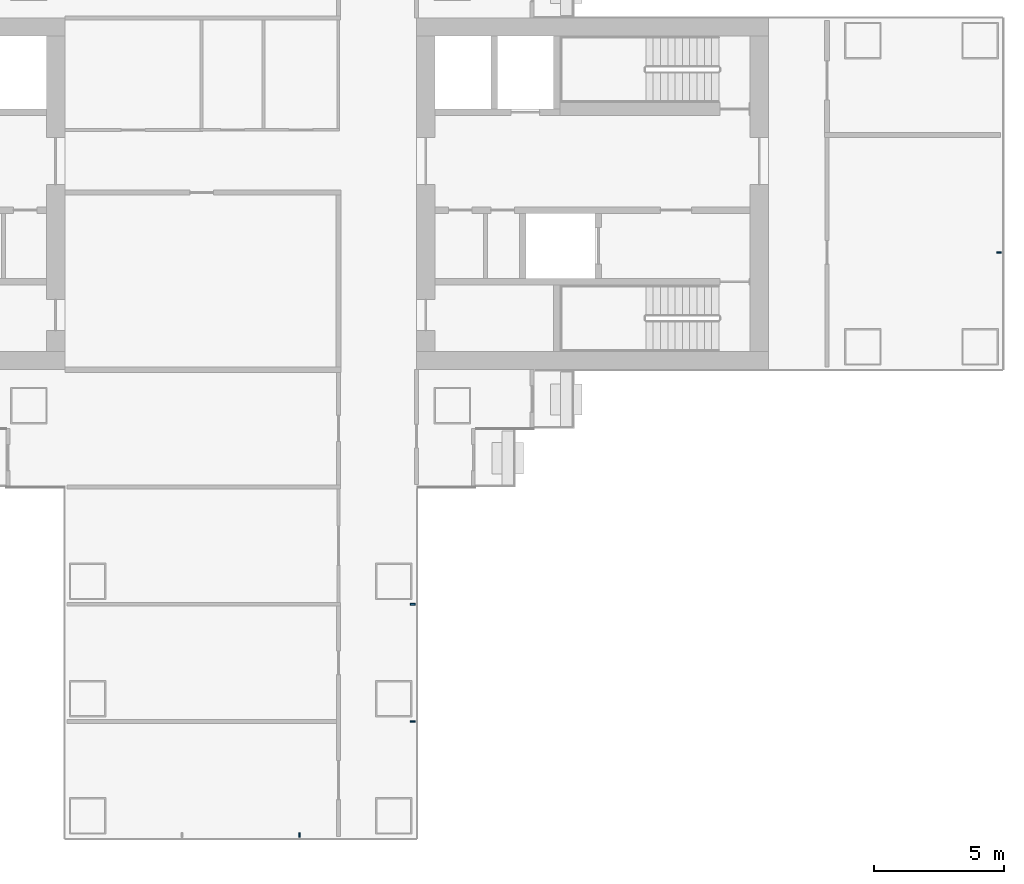
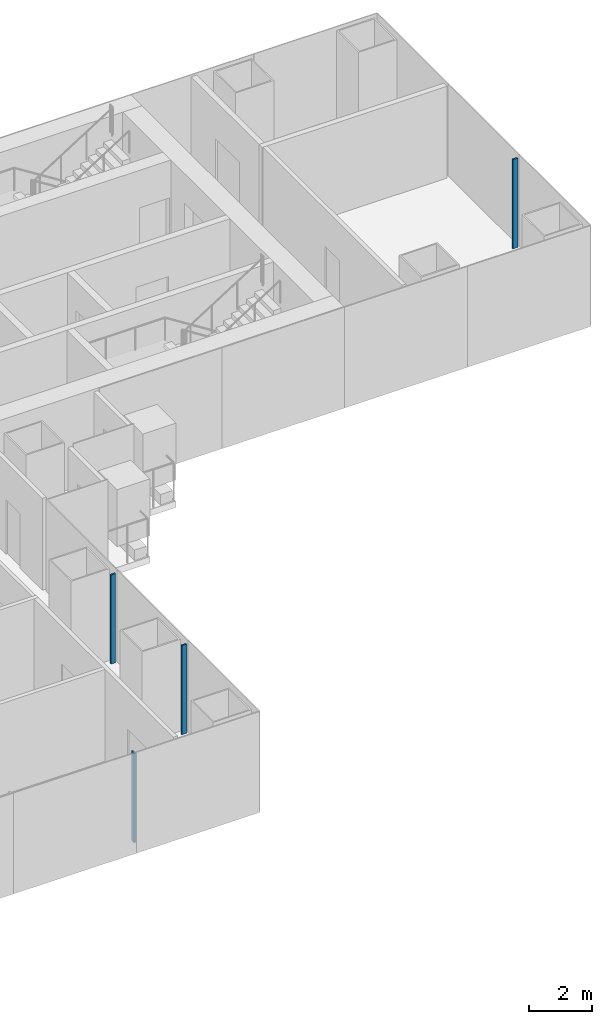
# One storey, part 8 of 21: 4 members, 3 elements without a shape of their own.
"""IFC4 building model written with IfcOpenShell, lengths in metres."""

import ifcopenshell
import ifcopenshell.guid

model = None  # the IFC model being written
_history = None  # IfcOwnerHistory: only IFC2X3 demands one
_inside = {}  # id of a spatial element -> (the spatial element, [elements in it])
_under = {}  # id of a project, library or spatial element -> (it, [spatial elements below it])
_declared = {}  # id of a project -> (the project, [libraries it declares])
_typed = {}  # id of a type object -> (the type object, [elements of that type])
_made_of = {}  # id of a material, layer set ... -> (it, [elements and type objects made of it])


def new_model(schema):
    """Start an empty IFC model of exactly this schema.

    Asked for "IFC4X3", IfcOpenShell would pick the latest addendum, in which some entities
    have other attributes; the version numbers below select the first issue.
    IFC2X3 requires an IfcOwnerHistory on every rooted entity: one is made here for all.
    """
    global model, _history
    if schema == "IFC4X3":
        model = ifcopenshell.file(schema_version=(4, 3, 0, 0))
    else:
        model = ifcopenshell.file(schema=schema)
    _inside.clear()
    _under.clear()
    _declared.clear()
    _typed.clear()
    _made_of.clear()
    _history = None
    if model.schema == "IFC2X3":
        org = make("IfcOrganization", Name="unknown")
        user = make(
            "IfcPersonAndOrganization",
            ThePerson=make("IfcPerson", FamilyName="unknown"),
            TheOrganization=org,
        )
        app = make(
            "IfcApplication",
            ApplicationDeveloper=org,
            Version="unknown",
            ApplicationFullName="unknown",
            ApplicationIdentifier="unknown",
        )
        _history = make(
            "IfcOwnerHistory",
            OwningUser=user,
            OwningApplication=app,
            ChangeAction="ADDED",
            CreationDate=0,
        )
    return model


def make(cls, **values):
    """One entity of the class cls with the attributes given. An attribute that is None is left unset."""
    return model.create_entity(
        cls, **{name: value for name, value in values.items() if value is not None}
    )


def rooted(cls, **values):
    """An entity with a GlobalId (a new one), such as an element, a storey or a relation."""
    return make(cls, GlobalId=ifcopenshell.guid.new(), OwnerHistory=_history, **values)


def si_unit(unit_type, name, prefix=None):
    """IfcSIUnit, for example si_unit("LENGTHUNIT", "METRE", prefix="MILLI")."""
    return make("IfcSIUnit", UnitType=unit_type, Prefix=prefix, Name=name)


def assignment(units):
    """IfcUnitAssignment: the units of a project."""
    return None if units is None else make("IfcUnitAssignment", Units=units)


def point(xyz):
    """IfcCartesianPoint."""
    return None if xyz is None else make("IfcCartesianPoint", Coordinates=xyz)


def direction(xyz):
    """IfcDirection."""
    return None if xyz is None else make("IfcDirection", DirectionRatios=xyz)


def frame(location, z_axis=None, x_axis=None):
    """IfcAxis2Placement3D, a coordinate frame: its origin and axes. An axis left out is left unset."""
    return make(
        "IfcAxis2Placement3D",
        Location=point(location),
        Axis=direction(z_axis),
        RefDirection=direction(x_axis),
    )


def frame_2d(location, x_axis=None):
    """IfcAxis2Placement2D, a coordinate frame in the plane: its origin and x axis."""
    return make(
        "IfcAxis2Placement2D", Location=point(location), RefDirection=direction(x_axis)
    )


def origin():
    """The frame at (0, 0, 0) with its axes left unset."""
    return frame((0.0, 0.0, 0.0))


def origin_2d():
    """The frame at (0, 0) in the plane with its x axis left unset."""
    return frame_2d((0.0, 0.0))


def place(relative_to, where):
    """IfcLocalPlacement: puts the frame where relative to a parent placement (None: the world)."""
    return make(
        "IfcLocalPlacement", PlacementRelTo=relative_to, RelativePlacement=where
    )


def context(
    kind, dimensions, precision=None, world=None, true_north=None, identifier=None
):
    """IfcGeometricRepresentationContext, for example the 3D "Model" context."""
    return make(
        "IfcGeometricRepresentationContext",
        ContextIdentifier=identifier,
        ContextType=kind,
        CoordinateSpaceDimension=dimensions,
        Precision=precision,
        WorldCoordinateSystem=world,
        TrueNorth=true_north,
    )


def subcontext(parent, identifier, kind, view, scale=None):
    """IfcGeometricRepresentationSubContext, for example "Body" below "Model"."""
    return make(
        "IfcGeometricRepresentationSubContext",
        ContextIdentifier=identifier,
        ContextType=kind,
        ParentContext=parent,
        TargetScale=scale,
        TargetView=view,
    )


def project(units=None, contexts=None):
    """IfcProject with its units and contexts."""
    return rooted(
        "IfcProject",
        Name="project",
        RepresentationContexts=contexts,
        UnitsInContext=assignment(units),
    )


def spatial(cls, under=None, at=None, **own):
    """A site, building, storey or space (cls), placed at a placement, below another one or the project."""
    s = rooted(cls, ObjectPlacement=at, **own)
    if under is not None:
        _under.setdefault(under.id(), (under, []))[1].append(s)
    return s


def profile(cls, at=None, kind="AREA", **sizes):
    """A parametric profile (cls). Its sizes go by their IFC names, for example OverallWidth=200.0."""
    return make(cls, ProfileType=kind, Position=at, **sizes)


def rectangle(**sizes):
    """IfcRectangleProfileDef."""
    return profile("IfcRectangleProfileDef", **sizes)


def extrude(swept, where, along, depth):
    """IfcExtrudedAreaSolid: the profile swept, set in the frame where, extruded along a direction by depth."""
    return make(
        "IfcExtrudedAreaSolid",
        SweptArea=swept,
        Position=where,
        ExtrudedDirection=direction(along),
        Depth=depth,
    )


def shape(context_of_items, identifier, shape_type, items):
    """IfcShapeRepresentation: the items that make up one representation, for example the "Body"."""
    return make(
        "IfcShapeRepresentation",
        ContextOfItems=context_of_items,
        RepresentationIdentifier=identifier,
        RepresentationType=shape_type,
        Items=items,
    )


def material(Name=None, Category=None):
    """IfcMaterial."""
    return make("IfcMaterial", Name=Name, Category=Category)


def layer(
    of_material, thickness, ventilated=None, Name=None, Category=None, Priority=None
):
    """IfcMaterialLayer: one layer of a wall or slab, of a material (None: an air gap)."""
    return make(
        "IfcMaterialLayer",
        Material=of_material,
        LayerThickness=thickness,
        IsVentilated=ventilated,
        Name=Name,
        Category=Category,
        Priority=Priority,
    )


def layer_set(layers, Name=None):
    """IfcMaterialLayerSet."""
    return make("IfcMaterialLayerSet", MaterialLayers=layers, LayerSetName=Name)


def material_profile(
    of_material, cross_section, Name=None, Category=None, Priority=None
):
    """IfcMaterialProfile: a cross section and its material."""
    return make(
        "IfcMaterialProfile",
        Name=Name,
        Material=of_material,
        Profile=cross_section,
        Priority=Priority,
        Category=Category,
    )


def profile_set(profiles, Name=None, composite=None):
    """IfcMaterialProfileSet."""
    return make(
        "IfcMaterialProfileSet",
        Name=Name,
        MaterialProfiles=profiles,
        CompositeProfile=composite,
    )


def made_of(thing, what):
    """Note that an element or type object is made of a material, layer set ...; save() writes the relation."""
    if what is not None:
        _made_of.setdefault(what.id(), (what, []))[1].append(thing)
    return thing


def type_object(cls, material=None, **own):
    """A type object (cls), such as IfcWallType, which elements share."""
    return made_of(rooted(cls, **own), material)


def element(
    cls,
    number,
    at=None,
    inside=None,
    cuts=None,
    type_object=None,
    material=None,
    context=None,
    identifier="Body",
    shape_type=None,
    held_by="IfcProductDefinitionShape",
    body=None,
    shapes=None,
    **own,
):
    """One element of the class cls, such as IfcWall. Its Tag is "e" and its number.

    at: its placement. inside: the storey or other place that contains it. cuts: it is an
    opening in that element (IfcRelVoidsElement). A single representation is given by context,
    identifier, shape_type and body (its items); several are given by shapes. held_by: the class
    of the entity that holds the representations. save() writes the other relations.
    """
    e = rooted(cls, Tag="e%d" % number, ObjectPlacement=at, **own)
    if body is not None:
        shapes = [shape(context, identifier, shape_type, body)]
    if shapes is not None:
        e.Representation = make(held_by, Representations=shapes)
    if inside is not None:
        _inside.setdefault(inside.id(), (inside, []))[1].append(e)
    if cuts is not None:
        rooted(
            "IfcRelVoidsElement", RelatingBuildingElement=cuts, RelatedOpeningElement=e
        )
    if type_object is not None:
        _typed.setdefault(type_object.id(), (type_object, []))[1].append(e)
    return made_of(e, material)


def aggregate(whole, parts):
    """IfcRelAggregates: a whole, such as a stair, and the parts it consists of."""
    return rooted("IfcRelAggregates", RelatingObject=whole, RelatedObjects=parts)


def save(model, path):
    """Write the relations noted so far, then the file.

    IfcRelAggregates (storeys below a building ...), IfcRelContainedInSpatialStructure (elements
    in a storey), IfcRelDefinesByType, IfcRelAssociatesMaterial and IfcRelDeclares: one each for
    every whole, place, type object, material and project.
    """
    for whole, parts in _under.values():
        aggregate(whole, parts)
    for where, things in _inside.values():
        rooted(
            "IfcRelContainedInSpatialStructure",
            RelatedElements=things,
            RelatingStructure=where,
        )
    for kind, things in _typed.values():
        rooted("IfcRelDefinesByType", RelatedObjects=things, RelatingType=kind)
    for what, things in _made_of.values():
        rooted("IfcRelAssociatesMaterial", RelatedObjects=things, RelatingMaterial=what)
    for by, libraries in _declared.values():
        rooted("IfcRelDeclares", RelatingContext=by, RelatedDefinitions=libraries)
    model.write(path)


model = new_model("IFC4")

# Units and contexts
model_context = context("Model", 3, precision=1e-05, world=origin(), true_north=direction((0.0, 1.0)))
body_context = subcontext(model_context, "Body", "Model", "MODEL_VIEW")
ifc_project = project(units=[si_unit("LENGTHUNIT", "METRE"), si_unit("AREAUNIT", "SQUARE_METRE"), si_unit("VOLUMEUNIT", "CUBIC_METRE"), si_unit("PLANEANGLEUNIT", "RADIAN"), si_unit("MASSUNIT", "GRAM", prefix="KILO")], contexts=[model_context])

# Site, building, storey
site_placement = place(None, origin())
site = spatial("IfcSite", under=ifc_project, at=site_placement, CompositionType="ELEMENT")
building_placement = place(site_placement, origin())
building = spatial("IfcBuilding", under=site, at=building_placement, Name="Shamsa Quay Exchange Towers", CompositionType="ELEMENT")
storey_placement = place(building_placement, frame((0.0, 0.0, 49.800048828125)))
storey = spatial("IfcBuildingStorey", under=building, at=storey_placement, Name="L10", CompositionType="ELEMENT", Elevation=49.800048828125)

# Curtain wall, member
ifc_material = material(Name="Aluminium EN AW-6063 T6, black anodised", Category="aluminium")
ifc_layer = layer(ifc_material, 0.280029296875)
ifc_layer_set = layer_set([ifc_layer], Name="CW-1 UNITISED VISION GLASS")
curtain_wall_type = type_object("IfcCurtainWallType", Name="CW-1 UNITISED VISION GLASS", PredefinedType="NOTDEFINED", material=ifc_layer_set)
curtain_wall_1_placement = place(storey_placement, origin())
curtain_wall_1 = element("IfcCurtainWall", 1, at=curtain_wall_1_placement, inside=storey, type_object=curtain_wall_type, Name="CW1 T2-END-V- L10", PredefinedType="NOTDEFINED")
ifc_material_profile = material_profile(ifc_material, rectangle(XDim=0.179931640625, YDim=0.06005859375, at=origin_2d()), Name="MU60x180")
ifc_profile_set = profile_set([ifc_material_profile], Name="Aluminium EN AW-6063 T6, black anodised")
member_type = type_object("IfcMemberType", Name="CW1 MULLION 60x180", PredefinedType="MULLION", material=ifc_profile_set)
member_1_placement = place(storey_placement, frame((62.85009765625, -2.25, 0.0), z_axis=(0.0, 0.0, 1.0), x_axis=(-1.0, 0.0, 0.0)))
member_1 = element("IfcMember", 2, at=member_1_placement, type_object=member_type, Name="CW1 mullion", PredefinedType="MULLION", context=body_context, shape_type="SweptSolid", body=[
    extrude(rectangle(XDim=0.179931640625, YDim=0.06005859375, at=origin_2d()), origin(), (0.0, 0.0, 1.0), 3.449951171875),
])
aggregate(curtain_wall_1, [member_1])

curtain_wall_2_placement = place(storey_placement, origin())
curtain_wall_2 = element("IfcCurtainWall", 3, at=curtain_wall_2_placement, inside=storey, type_object=curtain_wall_type, Name="CW1 T2-END-U- L10", PredefinedType="NOTDEFINED")
member_2_placement = place(storey_placement, frame((36.0, -24.60009765625, 0.0), z_axis=(0.0, 0.0, 1.0), x_axis=(0.0, 1.0, 0.0)))
member_2 = element("IfcMember", 4, at=member_2_placement, type_object=member_type, Name="CW1 mullion", PredefinedType="MULLION", context=body_context, shape_type="SweptSolid", body=[
    extrude(rectangle(XDim=0.179931640625, YDim=0.06005859375, at=origin_2d()), origin(), (0.0, 0.0, 1.0), 3.449951171875),
])
aggregate(curtain_wall_2, [member_2])

# Curtain wall, members
curtain_wall_3_placement = place(storey_placement, origin())
curtain_wall_3 = element("IfcCurtainWall", 5, at=curtain_wall_3_placement, inside=storey, type_object=curtain_wall_type, Name="CW1 T2-FLK-U-S L10", PredefinedType="NOTDEFINED")
member_3_placement = place(storey_placement, frame((40.35009765625, -20.25, 0.0), z_axis=(0.0, 0.0, 1.0), x_axis=(-1.0, 0.0, 0.0)))
member_3 = element("IfcMember", 6, at=member_3_placement, type_object=member_type, Name="CW1 mullion", PredefinedType="MULLION", context=body_context, shape_type="SweptSolid", body=[
    extrude(rectangle(XDim=0.179931640625, YDim=0.06005859375, at=origin_2d()), origin(), (0.0, 0.0, 1.0), 3.449951171875),
])
member_4_placement = place(storey_placement, frame((40.35009765625, -15.75, 0.0), z_axis=(0.0, 0.0, 1.0), x_axis=(-1.0, 0.0, 0.0)))
member_4 = element("IfcMember", 7, at=member_4_placement, type_object=member_type, Name="CW1 mullion", PredefinedType="MULLION", context=body_context, shape_type="SweptSolid", body=[
    extrude(rectangle(XDim=0.179931640625, YDim=0.06005859375, at=origin_2d()), origin(), (0.0, 0.0, 1.0), 3.449951171875),
])
aggregate(curtain_wall_3, [member_3, member_4])

save(model, "model.ifc")
